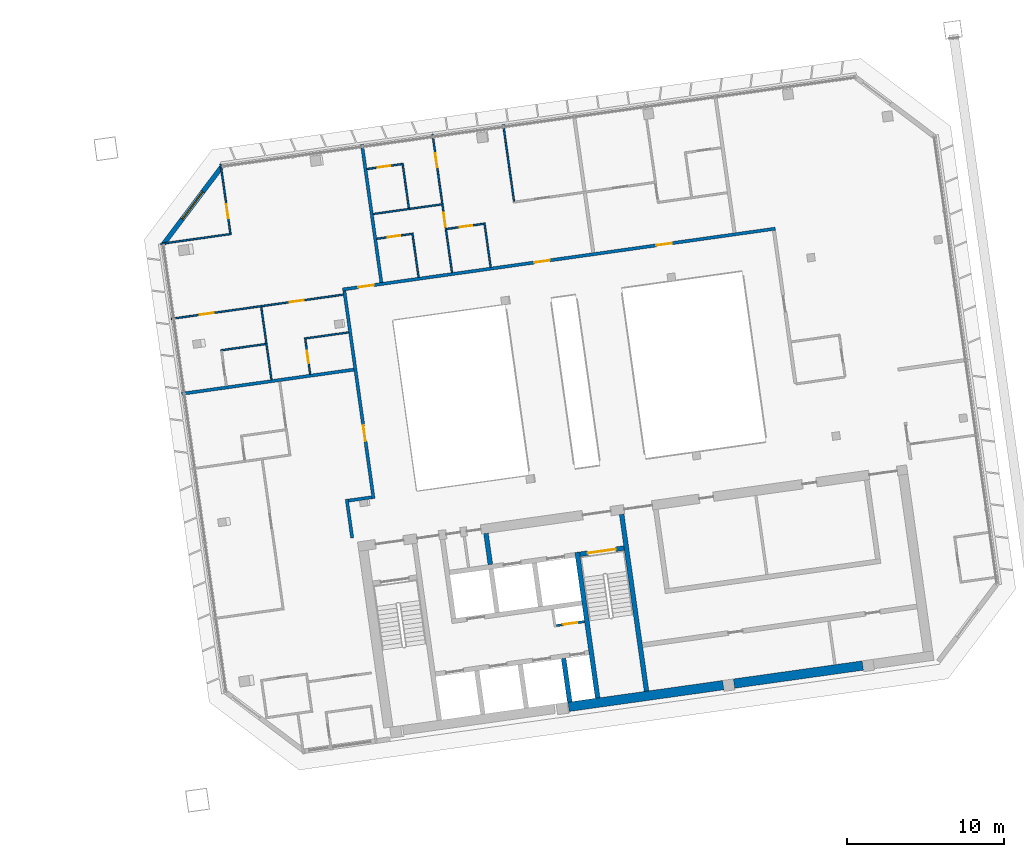
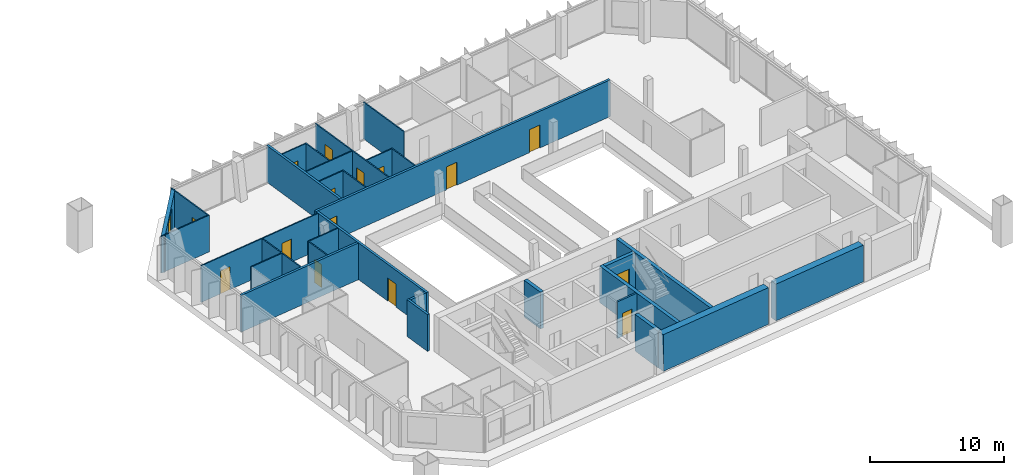
# One storey, part 19 of 26: 31 walls, 15 doors, 1 window, 16 openings.
"""IFC4 building model written with IfcOpenShell, lengths in metres."""

from ifc_helpers import new_model, si_unit, direction, frame, frame_2d, origin, place, context, subcontext, project, spatial, rectangle, extrude, material, layer, layer_set, type_object, element, fill, save


model = new_model("IFC4")

# Units and contexts
model_context = context("Model", 3, precision=1e-05, world=origin(), true_north=direction((0.0, 1.0)))
body_context = subcontext(model_context, "Body", "Model", "MODEL_VIEW")
ifc_project = project(units=[si_unit("LENGTHUNIT", "METRE"), si_unit("AREAUNIT", "SQUARE_METRE"), si_unit("VOLUMEUNIT", "CUBIC_METRE"), si_unit("PLANEANGLEUNIT", "RADIAN"), si_unit("MASSUNIT", "GRAM", prefix="KILO")], contexts=[model_context])

# Site, building, storey
site_placement = place(None, origin())
site = spatial("IfcSite", under=ifc_project, at=site_placement, CompositionType="ELEMENT")
building_placement = place(site_placement, origin())
building = spatial("IfcBuilding", under=site, at=building_placement, Name="Mirante Cascada Hotel Towers", CompositionType="ELEMENT")
storey_placement = place(building_placement, frame((0.0, 0.0, 216.6)))
storey = spatial("IfcBuildingStorey", under=building, at=storey_placement, Name="L51", CompositionType="ELEMENT", Elevation=216.6)

# Walls
ifc_material_1 = material(Name="Fire-rated plasterboard on metal studs")
ifc_layer_1 = layer(ifc_material_1, 0.2)
ifc_layer_set_1 = layer_set([ifc_layer_1], Name="Compartment wall 200 EI 120")
wall_type_1 = type_object("IfcWallType", Name="Compartment wall 200 EI 120", PredefinedType="PARTITIONING", material=ifc_layer_set_1)
wall_1_placement = place(storey_placement, frame((36.5138, -4.518, 0.0), z_axis=(0.0, 0.0, 1.0), x_axis=(-0.9902735, -0.1391343, 0.0)))
element("IfcWall", 1, at=wall_1_placement, inside=storey, type_object=wall_type_1, Name="Wall 2-L51-09", PredefinedType="PARTITIONING", context=body_context, shape_type="SweptSolid", body=[
    extrude(rectangle(XDim=1.5, YDim=0.2, at=frame_2d((0.75, 0.0))), origin(), (0.0, 0.0, 1.0), 3.35),
])
wall_2_placement = place(storey_placement, frame((35.368, 3.6352, 0.0), z_axis=(0.0, 0.0, 1.0), x_axis=(-0.9902681, -0.1391725, 0.0)))
element("IfcWall", 2, at=wall_2_placement, inside=storey, type_object=wall_type_1, Name="Wall 2-L51-15", PredefinedType="PARTITIONING", context=body_context, shape_type="SweptSolid", body=[
    extrude(rectangle(XDim=11.0956, YDim=0.2, at=frame_2d((5.5478, 0.0))), origin(), (0.0, 0.0, 1.0), 3.35),
])

# Wall, openings, doors
wall_3_placement = place(storey_placement, frame((62.2774, 12.6346, 0.0), z_axis=(0.0, 0.0, 1.0), x_axis=(-0.9902677, -0.1391755, 0.0)))
wall_3 = element("IfcWall", 3, at=wall_3_placement, inside=storey, type_object=wall_type_1, Name="Wall 2-L51-19", PredefinedType="PARTITIONING", context=body_context, shape_type="SweptSolid", body=[
    extrude(rectangle(XDim=27.9, YDim=0.2, at=frame_2d((13.95, 0.0))), origin(), (0.0, 0.0, 1.0), 3.35),
])
opening_1_placement = place(wall_3_placement, frame((25.8927, 0.0, 0.0)))
opening_1 = element("IfcOpeningElement", 4, at=opening_1_placement, cuts=wall_3, Name="Opening D2-L51-06", PredefinedType="OPENING", context=body_context, shape_type="SweptSolid", body=[
    extrude(rectangle(XDim=1.0, YDim=2.1, at=frame_2d((0.5, 1.05))), frame((0.0, 0.1, 0.0), z_axis=(0.0, -1.0, 0.0), x_axis=(1.0, 0.0, 0.0)), (0.0, 0.0, 1.0), 0.2),
])
opening_2_placement = place(wall_3_placement, frame((14.5298, 0.0, 0.0)))
opening_2 = element("IfcOpeningElement", 5, at=opening_2_placement, cuts=wall_3, Name="Opening D2-L51-07", PredefinedType="OPENING", context=body_context, shape_type="SweptSolid", body=[
    extrude(rectangle(XDim=1.0, YDim=2.1, at=frame_2d((0.5, 1.05))), frame((0.0, 0.1, 0.0), z_axis=(0.0, -1.0, 0.0), x_axis=(1.0, 0.0, 0.0)), (0.0, 0.0, 1.0), 0.2),
])
opening_3_placement = place(wall_3_placement, frame((6.6652, 0.0, 0.0)))
opening_3 = element("IfcOpeningElement", 6, at=opening_3_placement, cuts=wall_3, Name="Opening D2-L51-08", PredefinedType="OPENING", context=body_context, shape_type="SweptSolid", body=[
    extrude(rectangle(XDim=1.0, YDim=2.1, at=frame_2d((0.5, 1.05))), frame((0.0, 0.1, 0.0), z_axis=(0.0, -1.0, 0.0), x_axis=(1.0, 0.0, 0.0)), (0.0, 0.0, 1.0), 0.2),
])
ifc_material_2 = material(Name="Fire-rated timber door leaf", Category="wood")
door_type_1 = type_object("IfcDoorType", Name="Entrance door DG1 1000x2100 EI 60", OperationType="SINGLE_SWING_LEFT", PredefinedType="DOOR", material=ifc_material_2)
door_1_placement = place(opening_1_placement, frame((1.0, 0.0, 0.0), z_axis=(0.0, 0.0, 1.0), x_axis=(-1.0, 0.0, 0.0)))
door_1 = element("IfcDoor", 7, at=door_1_placement, inside=storey, type_object=door_type_1, Name="Door D2-L51-06", OperationType="SINGLE_SWING_RIGHT", OverallHeight=2.1, OverallWidth=1.0, PredefinedType="DOOR", context=body_context, shape_type="SweptSolid", body=[
    extrude(rectangle(XDim=1.0, YDim=2.1, at=frame_2d((0.5, 1.05))), frame((0.0, 0.025, 0.0), z_axis=(0.0, -1.0, 0.0), x_axis=(1.0, 0.0, 0.0)), (0.0, 0.0, 1.0), 0.05),
])
fill(opening_1, door_1)
door_2_placement = place(opening_2_placement, frame((1.0, 0.0, 0.0), z_axis=(0.0, 0.0, 1.0), x_axis=(-1.0, 0.0, 0.0)))
door_2 = element("IfcDoor", 8, at=door_2_placement, inside=storey, type_object=door_type_1, Name="Door D2-L51-07", OperationType="SINGLE_SWING_RIGHT", OverallHeight=2.1, OverallWidth=1.0, PredefinedType="DOOR", context=body_context, shape_type="SweptSolid", body=[
    extrude(rectangle(XDim=1.0, YDim=2.1, at=frame_2d((0.5, 1.05))), frame((0.0, 0.025, 0.0), z_axis=(0.0, -1.0, 0.0), x_axis=(1.0, 0.0, 0.0)), (0.0, 0.0, 1.0), 0.05),
])
fill(opening_2, door_2)
door_3_placement = place(opening_3_placement, frame((1.0, 0.0, 0.0), z_axis=(0.0, 0.0, 1.0), x_axis=(-1.0, 0.0, 0.0)))
door_3 = element("IfcDoor", 9, at=door_3_placement, inside=storey, type_object=door_type_1, Name="Door D2-L51-08", OperationType="SINGLE_SWING_RIGHT", OverallHeight=2.1, OverallWidth=1.0, PredefinedType="DOOR", context=body_context, shape_type="SweptSolid", body=[
    extrude(rectangle(XDim=1.0, YDim=2.1, at=frame_2d((0.5, 1.05))), frame((0.0, 0.025, 0.0), z_axis=(0.0, -1.0, 0.0), x_axis=(1.0, 0.0, 0.0)), (0.0, 0.0, 1.0), 0.05),
])
fill(opening_3, door_3)

# Wall
wall_4_placement = place(storey_placement, frame((35.2634, -7.1173, 0.0), z_axis=(0.0, 0.0, 1.0), x_axis=(-0.1391586, 0.9902701, 0.0)))
element("IfcWall", 10, at=wall_4_placement, inside=storey, type_object=wall_type_1, Name="Wall 2-L51-40", PredefinedType="PARTITIONING", context=body_context, shape_type="SweptSolid", body=[
    extrude(rectangle(XDim=2.5, YDim=0.2, at=frame_2d((1.25, 0.0))), origin(), (0.0, 0.0, 1.0), 3.35),
])

# Wall, opening, door
wall_5_placement = place(storey_placement, frame((34.7618, 8.6665, 0.0), z_axis=(0.0, 0.0, 1.0), x_axis=(0.1391789, -0.9902673, 0.0)))
wall_5 = element("IfcWall", 11, at=wall_5_placement, inside=storey, type_object=wall_type_1, Name="Wall 2-L51-41", PredefinedType="PARTITIONING", context=body_context, shape_type="SweptSolid", body=[
    extrude(rectangle(XDim=13.4, YDim=0.2, at=frame_2d((6.7, 0.0))), origin(), (0.0, 0.0, 1.0), 3.35),
])
opening_4_placement = place(wall_5_placement, frame((8.6834, 0.0, 0.0)))
opening_4 = element("IfcOpeningElement", 12, at=opening_4_placement, cuts=wall_5, Name="Opening D2-L51-22", PredefinedType="OPENING", context=body_context, shape_type="SweptSolid", body=[
    extrude(rectangle(XDim=1.0, YDim=2.1, at=frame_2d((0.5, 1.05))), frame((0.0, 0.1, 0.0), z_axis=(0.0, -1.0, 0.0), x_axis=(1.0, 0.0, 0.0)), (0.0, 0.0, 1.0), 0.2),
])
door_4_placement = place(opening_4_placement, frame((1.0, 0.0, 0.0), z_axis=(0.0, 0.0, 1.0), x_axis=(-1.0, 0.0, 0.0)))
door_4 = element("IfcDoor", 13, at=door_4_placement, inside=storey, type_object=door_type_1, Name="Door D2-L51-22", OperationType="SINGLE_SWING_RIGHT", OverallHeight=2.1, OverallWidth=1.0, PredefinedType="DOOR", context=body_context, shape_type="SweptSolid", body=[
    extrude(rectangle(XDim=1.0, YDim=2.1, at=frame_2d((0.5, 1.05))), frame((0.0, 0.025, 0.0), z_axis=(0.0, -1.0, 0.0), x_axis=(1.0, 0.0, 0.0)), (0.0, 0.0, 1.0), 0.05),
])
fill(opening_4, door_4)

# Wall
wall_6_placement = place(storey_placement, frame((37.125, 9.2006, 0.0), z_axis=(0.0, 0.0, 1.0), x_axis=(-0.1391684, 0.9902687, 0.0)))
element("IfcWall", 14, at=wall_6_placement, inside=storey, type_object=wall_type_1, Name="Wall 2-L51-42", PredefinedType="PARTITIONING", context=body_context, shape_type="SweptSolid", body=[
    extrude(rectangle(XDim=8.9, YDim=0.2, at=frame_2d((4.45, 0.0))), origin(), (0.0, 0.0, 1.0), 3.35),
])

# Wall, opening, door
ifc_material_3 = material(Name="Masonry block", Category="masonry")
ifc_layer_2 = layer(ifc_material_3, 0.15)
ifc_layer_set_2 = layer_set([ifc_layer_2], Name="Core room partition 150 block EI 30")
wall_type_2 = type_object("IfcWallType", Name="Core room partition 150 block EI 30", PredefinedType="PARTITIONING", material=ifc_layer_set_2)
wall_7_placement = place(storey_placement, frame((48.2933, -12.7083, 0.0), z_axis=(0.0, 0.0, 1.0), x_axis=(0.990268, 0.1391734, 0.0)))
wall_7 = element("IfcWall", 15, at=wall_7_placement, inside=storey, type_object=wall_type_2, Name="Core wall partition T2 L51 3", PredefinedType="PARTITIONING", context=body_context, shape_type="SweptSolid", body=[
    extrude(rectangle(XDim=1.8251, YDim=0.15, at=frame_2d((0.9126, 0.0))), origin(), (0.0, 0.0, 1.0), 3.35),
])
opening_5_placement = place(wall_7_placement, frame((0.4625, 0.0, 0.0)))
opening_5 = element("IfcOpeningElement", 16, at=opening_5_placement, cuts=wall_7, Name="Opening D2-51-C15", PredefinedType="OPENING", context=body_context, shape_type="SweptSolid", body=[
    extrude(rectangle(XDim=0.9, YDim=2.1, at=frame_2d((0.45, 1.05))), frame((0.0, 0.075, 0.0), z_axis=(0.0, -1.0, 0.0), x_axis=(1.0, 0.0, 0.0)), (0.0, 0.0, 1.0), 0.15),
])
ifc_material_4 = material(Name="Hollow metal fire door leaf")
door_type_2 = type_object("IfcDoorType", Name="Fire door 900x2100 FD60", OperationType="NOTDEFINED", PredefinedType="DOOR", material=ifc_material_4)
door_5_placement = place(opening_5_placement, frame((0.9, 0.0, 0.0), z_axis=(0.0, 0.0, 1.0), x_axis=(-1.0, 0.0, 0.0)))
door_5 = element("IfcDoor", 17, at=door_5_placement, inside=storey, type_object=door_type_2, Name="Riser door T2 L51 15", OperationType="SINGLE_SWING_RIGHT", OverallHeight=2.1, OverallWidth=0.9, PredefinedType="DOOR", context=body_context, shape_type="SweptSolid", body=[
    extrude(rectangle(XDim=0.9, YDim=2.1, at=frame_2d((0.45, 1.05))), frame((0.0, 0.025, 0.0), z_axis=(0.0, -1.0, 0.0), x_axis=(1.0, 0.0, 0.0)), (0.0, 0.0, 1.0), 0.05),
])
fill(opening_5, door_5)

# Walls
ifc_material_5 = material(Name="Masonry block", Category="masonry")
ifc_layer_3 = layer(ifc_material_5, 0.3)
ifc_layer_set_3 = layer_set([ifc_layer_3], Name="Core wall 300 block EI 120")
wall_type_3 = type_object("IfcWallType", Name="Core wall 300 block EI 120", PredefinedType="PARTITIONING", material=ifc_layer_set_3)
wall_8_placement = place(storey_placement, frame((44.0843, -8.8061, 0.0), z_axis=(0.0, 0.0, 1.0), x_axis=(-0.1391951, 0.990265, 0.0)))
element("IfcWall", 18, at=wall_8_placement, inside=storey, type_object=wall_type_3, Name="Core wall partition T2 L51 1", PredefinedType="PARTITIONING", context=body_context, shape_type="SweptSolid", body=[
    extrude(rectangle(XDim=2.0001, YDim=0.3, at=frame_2d((1.0001, 0.0))), origin(), (0.0, 0.0, 1.0), 3.35),
])
ifc_material_6 = material(Name="Plasterboard on metal studs")
ifc_layer_4 = layer(ifc_material_6, 0.1)
ifc_layer_set_4 = layer_set([ifc_layer_4], Name="Partition 100")
wall_type_4 = type_object("IfcWallType", Name="Partition 100", PredefinedType="PARTITIONING", material=ifc_layer_set_4)
wall_9_placement = place(storey_placement, frame((26.8664, 4.864, 0.0), z_axis=(0.0, 0.0, 1.0), x_axis=(0.9902683, 0.1391714, 0.0)))
element("IfcWall", 19, at=wall_9_placement, inside=storey, type_object=wall_type_4, Name="Wall 2-L51-16", PredefinedType="PARTITIONING", context=body_context, shape_type="SweptSolid", body=[
    extrude(rectangle(XDim=2.9, YDim=0.1, at=frame_2d((1.45, 0.0))), origin(), (0.0, 0.0, 1.0), 3.35),
])
wall_10_placement = place(storey_placement, frame((35.034, 6.0119, 0.0), z_axis=(0.0, 0.0, 1.0), x_axis=(-0.9902656, -0.1391909, 0.0)))
element("IfcWall", 20, at=wall_10_placement, inside=storey, type_object=wall_type_4, Name="Wall 2-L51-17", PredefinedType="PARTITIONING", context=body_context, shape_type="SweptSolid", body=[
    extrude(rectangle(XDim=2.85, YDim=0.1, at=frame_2d((1.425, 0.0))), origin(), (0.0, 0.0, 1.0), 3.35),
])

# Wall, openings, doors
wall_11_placement = place(storey_placement, frame((23.7077, 6.8774, 0.0), z_axis=(0.0, 0.0, 1.0), x_axis=(0.9902681, 0.1391725, 0.0)))
wall_11 = element("IfcWall", 21, at=wall_11_placement, inside=storey, type_object=wall_type_4, Name="Wall 2-L51-18", PredefinedType="PARTITIONING", context=body_context, shape_type="SweptSolid", body=[
    extrude(rectangle(XDim=11.0956, YDim=0.1, at=frame_2d((5.5478, 0.0))), origin(), (0.0, 0.0, 1.0), 3.35),
])
opening_6_placement = place(wall_11_placement, frame((1.8489, 0.0, 0.0)))
opening_6 = element("IfcOpeningElement", 22, at=opening_6_placement, cuts=wall_11, Name="Opening D2-L51-04", PredefinedType="OPENING", context=body_context, shape_type="SweptSolid", body=[
    extrude(rectangle(XDim=0.9, YDim=2.1, at=frame_2d((0.45, 1.05))), frame((0.0, 0.05, 0.0), z_axis=(0.0, -1.0, 0.0), x_axis=(1.0, 0.0, 0.0)), (0.0, 0.0, 1.0), 0.1),
])
opening_7_placement = place(wall_11_placement, frame((7.6467, 0.0, 0.0)))
opening_7 = element("IfcOpeningElement", 23, at=opening_7_placement, cuts=wall_11, Name="Opening D2-L51-05", PredefinedType="OPENING", context=body_context, shape_type="SweptSolid", body=[
    extrude(rectangle(XDim=0.9, YDim=2.1, at=frame_2d((0.45, 1.05))), frame((0.0, 0.05, 0.0), z_axis=(0.0, -1.0, 0.0), x_axis=(1.0, 0.0, 0.0)), (0.0, 0.0, 1.0), 0.1),
])
ifc_material_7 = material(Name="Timber door leaf", Category="wood")
door_type_3 = type_object("IfcDoorType", Name="Room door DG3 900x2100", OperationType="SINGLE_SWING_LEFT", PredefinedType="DOOR", material=ifc_material_7)
door_6_placement = place(opening_6_placement, origin())
door_6 = element("IfcDoor", 24, at=door_6_placement, inside=storey, type_object=door_type_3, Name="Door D2-L51-04", OperationType="SINGLE_SWING_LEFT", OverallHeight=2.1, OverallWidth=0.9, PredefinedType="DOOR", context=body_context, shape_type="SweptSolid", body=[
    extrude(rectangle(XDim=0.9, YDim=2.1, at=frame_2d((0.45, 1.05))), frame((0.0, 0.025, 0.0), z_axis=(0.0, -1.0, 0.0), x_axis=(1.0, 0.0, 0.0)), (0.0, 0.0, 1.0), 0.05),
])
fill(opening_6, door_6)
door_7_placement = place(opening_7_placement, origin())
door_7 = element("IfcDoor", 25, at=door_7_placement, inside=storey, type_object=door_type_3, Name="Door D2-L51-05", OperationType="SINGLE_SWING_LEFT", OverallHeight=2.1, OverallWidth=0.9, PredefinedType="DOOR", context=body_context, shape_type="SweptSolid", body=[
    extrude(rectangle(XDim=0.9, YDim=2.1, at=frame_2d((0.45, 1.05))), frame((0.0, 0.025, 0.0), z_axis=(0.0, -1.0, 0.0), x_axis=(1.0, 0.0, 0.0)), (0.0, 0.0, 1.0), 0.05),
])
fill(opening_7, door_7)

# Wall, opening, door
wall_12_placement = place(storey_placement, frame((39.0625, 12.3004, 0.0), z_axis=(0.0, 0.0, 1.0), x_axis=(-0.9902705, -0.1391561, 0.0)))
wall_12 = element("IfcWall", 26, at=wall_12_placement, inside=storey, type_object=wall_type_4, Name="Wall 2-L51-21", PredefinedType="PARTITIONING", context=body_context, shape_type="SweptSolid", body=[
    extrude(rectangle(XDim=2.25, YDim=0.1, at=frame_2d((1.125, 0.0))), origin(), (0.0, 0.0, 1.0), 3.35),
])
opening_8_placement = place(wall_12_placement, frame((0.75, 0.0, 0.0)))
opening_8 = element("IfcOpeningElement", 27, at=opening_8_placement, cuts=wall_12, Name="Opening D2-L51-09", PredefinedType="OPENING", context=body_context, shape_type="SweptSolid", body=[
    extrude(rectangle(XDim=0.8, YDim=2.1, at=frame_2d((0.4, 1.05))), frame((0.0, 0.05, 0.0), z_axis=(0.0, -1.0, 0.0), x_axis=(1.0, 0.0, 0.0)), (0.0, 0.0, 1.0), 0.1),
])
ifc_material_8 = material(Name="Timber door leaf", Category="wood")
door_type_4 = type_object("IfcDoorType", Name="Bathroom door DG4 800x2100", OperationType="SINGLE_SWING_LEFT", PredefinedType="DOOR", material=ifc_material_8)
door_8_placement = place(opening_8_placement, origin())
door_8 = element("IfcDoor", 28, at=door_8_placement, inside=storey, type_object=door_type_4, Name="Door D2-L51-09", OperationType="SINGLE_SWING_LEFT", OverallHeight=2.1, OverallWidth=0.8, PredefinedType="DOOR", context=body_context, shape_type="SweptSolid", body=[
    extrude(rectangle(XDim=0.8, YDim=2.1, at=frame_2d((0.4, 1.05))), frame((0.0, 0.025, 0.0), z_axis=(0.0, -1.0, 0.0), x_axis=(1.0, 0.0, 0.0)), (0.0, 0.0, 1.0), 0.05),
])
fill(opening_8, door_8)

wall_13_placement = place(storey_placement, frame((41.2956, 12.6143, 0.0), z_axis=(0.0, 0.0, 1.0), x_axis=(0.9902723, 0.1391433, 0.0)))
wall_13 = element("IfcWall", 29, at=wall_13_placement, inside=storey, type_object=wall_type_4, Name="Wall 2-L51-22", PredefinedType="PARTITIONING", context=body_context, shape_type="SweptSolid", body=[
    extrude(rectangle(XDim=2.3911, YDim=0.1, at=frame_2d((1.1955, 0.0))), origin(), (0.0, 0.0, 1.0), 3.35),
])
opening_9_placement = place(wall_13_placement, frame((0.8411, 0.0, 0.0)))
opening_9 = element("IfcOpeningElement", 30, at=opening_9_placement, cuts=wall_13, Name="Opening D2-L51-10", PredefinedType="OPENING", context=body_context, shape_type="SweptSolid", body=[
    extrude(rectangle(XDim=0.8, YDim=2.1, at=frame_2d((0.4, 1.05))), frame((0.0, 0.05, 0.0), z_axis=(0.0, -1.0, 0.0), x_axis=(1.0, 0.0, 0.0)), (0.0, 0.0, 1.0), 0.1),
])
door_9_placement = place(opening_9_placement, origin())
door_9 = element("IfcDoor", 31, at=door_9_placement, inside=storey, type_object=door_type_4, Name="Door D2-L51-10", OperationType="SINGLE_SWING_LEFT", OverallHeight=2.1, OverallWidth=0.8, PredefinedType="DOOR", context=body_context, shape_type="SweptSolid", body=[
    extrude(rectangle(XDim=0.8, YDim=2.1, at=frame_2d((0.4, 1.05))), frame((0.0, 0.025, 0.0), z_axis=(0.0, -1.0, 0.0), x_axis=(1.0, 0.0, 0.0)), (0.0, 0.0, 1.0), 0.05),
])
fill(opening_9, door_9)

# Walls
wall_14_placement = place(storey_placement, frame((23.035, 11.6636, 0.0), z_axis=(0.0, 0.0, 1.0), x_axis=(0.9902661, 0.1391871, 0.0)))
element("IfcWall", 32, at=wall_14_placement, inside=storey, type_object=wall_type_4, Name="Wall 2-L51-24", PredefinedType="PARTITIONING", context=body_context, shape_type="SweptSolid", body=[
    extrude(rectangle(XDim=4.55, YDim=0.1, at=frame_2d((2.275, 0.0))), origin(), (0.0, 0.0, 1.0), 3.35),
])
wall_15_placement = place(storey_placement, frame((40.9739, 14.1848, 0.0), z_axis=(0.0, 0.0, 1.0), x_axis=(-0.990267, -0.1391804, 0.0)))
element("IfcWall", 33, at=wall_15_placement, inside=storey, type_object=wall_type_4, Name="Wall 2-L51-25", PredefinedType="PARTITIONING", context=body_context, shape_type="SweptSolid", body=[
    extrude(rectangle(XDim=4.4051, YDim=0.1, at=frame_2d((2.2026, 0.0))), origin(), (0.0, 0.0, 1.0), 3.35),
])

# Wall, opening, door
wall_16_placement = place(storey_placement, frame((38.4362, 16.7566, 0.0), z_axis=(0.0, 0.0, 1.0), x_axis=(-0.9902705, -0.1391561, 0.0)))
wall_16 = element("IfcWall", 34, at=wall_16_placement, inside=storey, type_object=wall_type_4, Name="Wall 2-L51-27", PredefinedType="PARTITIONING", context=body_context, shape_type="SweptSolid", body=[
    extrude(rectangle(XDim=2.25, YDim=0.1, at=frame_2d((1.125, 0.0))), origin(), (0.0, 0.0, 1.0), 3.35),
])
opening_10_placement = place(wall_16_placement, frame((0.75, 0.0, 0.0)))
opening_10 = element("IfcOpeningElement", 35, at=opening_10_placement, cuts=wall_16, Name="Opening D2-L51-14", PredefinedType="OPENING", context=body_context, shape_type="SweptSolid", body=[
    extrude(rectangle(XDim=0.8, YDim=2.1, at=frame_2d((0.4, 1.05))), frame((0.0, 0.05, 0.0), z_axis=(0.0, -1.0, 0.0), x_axis=(1.0, 0.0, 0.0)), (0.0, 0.0, 1.0), 0.1),
])
door_10_placement = place(opening_10_placement, origin())
door_10 = element("IfcDoor", 36, at=door_10_placement, inside=storey, type_object=door_type_4, Name="Door D2-L51-14", OperationType="SINGLE_SWING_LEFT", OverallHeight=2.1, OverallWidth=0.8, PredefinedType="DOOR", context=body_context, shape_type="SweptSolid", body=[
    extrude(rectangle(XDim=0.8, YDim=2.1, at=frame_2d((0.4, 1.05))), frame((0.0, 0.025, 0.0), z_axis=(0.0, -1.0, 0.0), x_axis=(1.0, 0.0, 0.0)), (0.0, 0.0, 1.0), 0.05),
])
fill(opening_10, door_10)

wall_17_placement = place(storey_placement, frame((26.8649, 16.7461, 0.0), z_axis=(0.0, 0.0, 1.0), x_axis=(0.1391904, -0.9902656, 0.0)))
wall_17 = element("IfcWall", 37, at=wall_17_placement, inside=storey, type_object=wall_type_4, Name="Wall 2-L51-33", PredefinedType="PARTITIONING", context=body_context, shape_type="SweptSolid", body=[
    extrude(rectangle(XDim=4.45, YDim=0.1, at=frame_2d((2.225, 0.0))), origin(), (0.0, 0.0, 1.0), 3.35),
])
opening_11_placement = place(wall_17_placement, frame((2.5833, 0.0, 0.0)))
opening_11 = element("IfcOpeningElement", 38, at=opening_11_placement, cuts=wall_17, Name="Opening D2-L51-18", PredefinedType="OPENING", context=body_context, shape_type="SweptSolid", body=[
    extrude(rectangle(XDim=0.9, YDim=2.1, at=frame_2d((0.45, 1.05))), frame((0.0, 0.05, 0.0), z_axis=(0.0, -1.0, 0.0), x_axis=(1.0, 0.0, 0.0)), (0.0, 0.0, 1.0), 0.1),
])
door_11_placement = place(opening_11_placement, origin())
door_11 = element("IfcDoor", 39, at=door_11_placement, inside=storey, type_object=door_type_3, Name="Door D2-L51-18", OperationType="SINGLE_SWING_LEFT", OverallHeight=2.1, OverallWidth=0.9, PredefinedType="DOOR", context=body_context, shape_type="SweptSolid", body=[
    extrude(rectangle(XDim=0.9, YDim=2.1, at=frame_2d((0.45, 1.05))), frame((0.0, 0.025, 0.0), z_axis=(0.0, -1.0, 0.0), x_axis=(1.0, 0.0, 0.0)), (0.0, 0.0, 1.0), 0.05),
])
fill(opening_11, door_11)

# Wall
wall_18_placement = place(storey_placement, frame((29.456, 7.6348, 0.0), z_axis=(0.0, 0.0, 1.0), x_axis=(0.1391701, -0.9902685, 0.0)))
element("IfcWall", 40, at=wall_18_placement, inside=storey, type_object=wall_type_4, Name="Wall 2-L51-35", PredefinedType="PARTITIONING", context=body_context, shape_type="SweptSolid", body=[
    extrude(rectangle(XDim=4.6835, YDim=0.1, at=frame_2d((2.3418, 0.0))), origin(), (0.0, 0.0, 1.0), 3.35),
])

# Wall, opening, door
wall_19_placement = place(storey_placement, frame((32.5813, 3.3446, 0.0), z_axis=(0.0, 0.0, 1.0), x_axis=(-0.1391561, 0.9902705, 0.0)))
wall_19 = element("IfcWall", 41, at=wall_19_placement, inside=storey, type_object=wall_type_4, Name="Wall 2-L51-38", PredefinedType="PARTITIONING", context=body_context, shape_type="SweptSolid", body=[
    extrude(rectangle(XDim=2.25, YDim=0.1, at=frame_2d((1.125, 0.0))), origin(), (0.0, 0.0, 1.0), 3.35),
])
opening_12_placement = place(wall_19_placement, frame((0.7, 0.0, 0.0)))
opening_12 = element("IfcOpeningElement", 42, at=opening_12_placement, cuts=wall_19, Name="Opening D2-L51-21", PredefinedType="OPENING", context=body_context, shape_type="SweptSolid", body=[
    extrude(rectangle(XDim=0.8, YDim=2.1, at=frame_2d((0.4, 1.05))), frame((0.0, 0.05, 0.0), z_axis=(0.0, -1.0, 0.0), x_axis=(1.0, 0.0, 0.0)), (0.0, 0.0, 1.0), 0.1),
])
door_12_placement = place(opening_12_placement, frame((0.8, 0.0, 0.0), z_axis=(0.0, 0.0, 1.0), x_axis=(-1.0, 0.0, 0.0)))
door_12 = element("IfcDoor", 43, at=door_12_placement, inside=storey, type_object=door_type_4, Name="Door D2-L51-21", OperationType="SINGLE_SWING_RIGHT", OverallHeight=2.1, OverallWidth=0.8, PredefinedType="DOOR", context=body_context, shape_type="SweptSolid", body=[
    extrude(rectangle(XDim=0.8, YDim=2.1, at=frame_2d((0.4, 1.05))), frame((0.0, 0.025, 0.0), z_axis=(0.0, -1.0, 0.0), x_axis=(1.0, 0.0, 0.0)), (0.0, 0.0, 1.0), 0.05),
])
fill(opening_12, door_12)

# Walls
wall_20_placement = place(storey_placement, frame((39.105, 12.3569, 0.0), z_axis=(0.0, 0.0, 1.0), x_axis=(0.1391909, -0.9902656, 0.0)))
element("IfcWall", 44, at=wall_20_placement, inside=storey, type_object=wall_type_4, Name="Wall 2-L51-43", PredefinedType="PARTITIONING", context=body_context, shape_type="SweptSolid", body=[
    extrude(rectangle(XDim=2.85, YDim=0.1, at=frame_2d((1.425, 0.0))), origin(), (0.0, 0.0, 1.0), 3.35),
])
wall_21_placement = place(storey_placement, frame((38.8823, 13.9413, 0.0), z_axis=(0.0, 0.0, 1.0), x_axis=(-0.1391714, 0.9902683, 0.0)))
element("IfcWall", 45, at=wall_21_placement, inside=storey, type_object=wall_type_4, Name="Wall 2-L51-44", PredefinedType="PARTITIONING", context=body_context, shape_type="SweptSolid", body=[
    extrude(rectangle(XDim=2.9, YDim=0.1, at=frame_2d((1.45, 0.0))), origin(), (0.0, 0.0, 1.0), 3.35),
])

# Wall, openings, doors
wall_22_placement = place(storey_placement, frame((40.3971, 18.6479, 0.0), z_axis=(0.0, 0.0, 1.0), x_axis=(0.139181, -0.990267, 0.0)))
wall_22 = element("IfcWall", 46, at=wall_22_placement, inside=storey, type_object=wall_type_4, Name="Wall 2-L51-45", PredefinedType="PARTITIONING", context=body_context, shape_type="SweptSolid", body=[
    extrude(rectangle(XDim=8.8999, YDim=0.1, at=frame_2d((4.45, 0.0))), origin(), (0.0, 0.0, 1.0), 3.35),
])
opening_13_placement = place(wall_22_placement, frame((5.05, 0.0, 0.0)))
opening_13 = element("IfcOpeningElement", 47, at=opening_13_placement, cuts=wall_22, Name="Opening D2-L51-23", PredefinedType="OPENING", context=body_context, shape_type="SweptSolid", body=[
    extrude(rectangle(XDim=0.9, YDim=2.1, at=frame_2d((0.45, 1.05))), frame((0.0, 0.05, 0.0), z_axis=(0.0, -1.0, 0.0), x_axis=(1.0, 0.0, 0.0)), (0.0, 0.0, 1.0), 0.1),
])
opening_14_placement = place(wall_22_placement, frame((1.2, 0.0, 0.0)))
opening_14 = element("IfcOpeningElement", 48, at=opening_14_placement, cuts=wall_22, Name="Opening D2-L51-24", PredefinedType="OPENING", context=body_context, shape_type="SweptSolid", body=[
    extrude(rectangle(XDim=0.9, YDim=2.1, at=frame_2d((0.45, 1.05))), frame((0.0, 0.05, 0.0), z_axis=(0.0, -1.0, 0.0), x_axis=(1.0, 0.0, 0.0)), (0.0, 0.0, 1.0), 0.1),
])
door_13_placement = place(opening_13_placement, origin())
door_13 = element("IfcDoor", 49, at=door_13_placement, inside=storey, type_object=door_type_3, Name="Door D2-L51-23", OperationType="SINGLE_SWING_LEFT", OverallHeight=2.1, OverallWidth=0.9, PredefinedType="DOOR", context=body_context, shape_type="SweptSolid", body=[
    extrude(rectangle(XDim=0.9, YDim=2.1, at=frame_2d((0.45, 1.05))), frame((0.0, 0.025, 0.0), z_axis=(0.0, -1.0, 0.0), x_axis=(1.0, 0.0, 0.0)), (0.0, 0.0, 1.0), 0.05),
])
fill(opening_13, door_13)
door_14_placement = place(opening_14_placement, origin())
door_14 = element("IfcDoor", 50, at=door_14_placement, inside=storey, type_object=door_type_3, Name="Door D2-L51-24", OperationType="SINGLE_SWING_LEFT", OverallHeight=2.1, OverallWidth=0.9, PredefinedType="DOOR", context=body_context, shape_type="SweptSolid", body=[
    extrude(rectangle(XDim=0.9, YDim=2.1, at=frame_2d((0.45, 1.05))), frame((0.0, 0.025, 0.0), z_axis=(0.0, -1.0, 0.0), x_axis=(1.0, 0.0, 0.0)), (0.0, 0.0, 1.0), 0.05),
])
fill(opening_14, door_14)

# Walls
wall_23_placement = place(storey_placement, frame((44.1026, 10.1813, 0.0), z_axis=(0.0, 0.0, 1.0), x_axis=(-0.1391613, 0.9902697, 0.0)))
element("IfcWall", 51, at=wall_23_placement, inside=storey, type_object=wall_type_4, Name="Wall 2-L51-46", PredefinedType="PARTITIONING", context=body_context, shape_type="SweptSolid", body=[
    extrude(rectangle(XDim=2.8499, YDim=0.1, at=frame_2d((1.425, 0.0))), origin(), (0.0, 0.0, 1.0), 3.35),
])
wall_24_placement = place(storey_placement, frame((44.9079, 19.2819, 0.0), z_axis=(0.0, 0.0, 1.0), x_axis=(0.1391725, -0.9902682, 0.0)))
element("IfcWall", 52, at=wall_24_placement, inside=storey, type_object=wall_type_4, Name="Wall 2-L51-47", PredefinedType="PARTITIONING", context=body_context, shape_type="SweptSolid", body=[
    extrude(rectangle(XDim=4.95, YDim=0.1, at=frame_2d((2.475, 0.0))), origin(), (0.0, 0.0, 1.0), 3.35),
])

# Wall, opening, window
ifc_material_9 = material(Name="Precast concrete C40/50", Category="concrete")
ifc_layer_5 = layer(ifc_material_9, 0.3)
ifc_layer_set_5 = layer_set([ifc_layer_5], Name="Precast concrete C40/50 cladding wall 300")
wall_type_5 = type_object("IfcWallType", Name="Precast concrete C40/50 cladding wall 300", PredefinedType="STANDARD", material=ifc_layer_set_5)
wall_25_placement = place(storey_placement, frame((26.91, 16.5567, 0.0), z_axis=(0.0, 0.0, 1.0), x_axis=(-0.6018141, -0.7986362, 0.0)))
wall_25 = element("IfcWall", 53, at=wall_25_placement, inside=storey, type_object=wall_type_5, Name="Corner cladding wall T2 L51 front inner", PredefinedType="STANDARD", context=body_context, shape_type="SweptSolid", body=[
    extrude(rectangle(XDim=6.1157, YDim=0.3, at=frame_2d((3.0578, 0.0))), origin(), (0.0, 0.0, 1.0), 3.35),
])
opening_15_placement = place(wall_25_placement, frame((1.9578, 0.0, 0.6)))
opening_15 = element("IfcOpeningElement", 54, at=opening_15_placement, cuts=wall_25, Name="Opening W2-51-04", PredefinedType="OPENING", context=body_context, shape_type="SweptSolid", body=[
    extrude(rectangle(XDim=2.2, YDim=2.4, at=frame_2d((1.1, 1.2))), frame((0.0, 0.15, 0.0), z_axis=(0.0, -1.0, 0.0), x_axis=(1.0, 0.0, 0.0)), (0.0, 0.0, 1.0), 0.3),
])
ifc_material_10 = material(Name="Aluminium frame with clear double glazing", Category="aluminium")
window_type = type_object("IfcWindowType", Name="Corner suite window 2200x2400", PartitioningType="DOUBLE_PANEL_VERTICAL", PredefinedType="WINDOW", material=ifc_material_10)
window_placement = place(opening_15_placement, origin())
window = element("IfcWindow", 55, at=window_placement, inside=storey, type_object=window_type, Name="Window W2-51-04", OverallHeight=2.4, OverallWidth=2.2, PartitioningType="SINGLE_PANEL", PredefinedType="WINDOW", context=body_context, shape_type="SweptSolid", body=[
    extrude(rectangle(XDim=2.2, YDim=2.4, at=frame_2d((1.1, 1.2))), frame((0.0, 0.03, 0.0), z_axis=(0.0, -1.0, 0.0), x_axis=(1.0, 0.0, 0.0)), (0.0, 0.0, 1.0), 0.06),
])
fill(opening_15, window)

# Walls
ifc_material_11 = material(Name="Concrete C50/60", Category="concrete")
ifc_layer_6 = layer(ifc_material_11, 0.3)
ifc_layer_set_6 = layer_set([ifc_layer_6], Name="RC core wall 300 C50/60")
wall_type_6 = type_object("IfcWallType", Name="RC core wall 300 C50/60", PredefinedType="SHEAR", material=ifc_layer_set_6)
wall_26_placement = place(storey_placement, frame((50.938, -17.3352, 0.0), z_axis=(0.0, 0.0, 1.0), x_axis=(-0.1391706, 0.9902684, 0.0)))
element("IfcWall", 56, at=wall_26_placement, inside=storey, type_object=wall_type_6, Name="Core wall T2:L51:6", PredefinedType="SHEAR", context=body_context, shape_type="SweptSolid", body=[
    extrude(rectangle(XDim=9.4, YDim=0.3, at=frame_2d((4.7, 0.0))), origin(), (0.0, 0.0, 1.0), 3.35),
])
wall_27_placement = place(storey_placement, frame((54.0574, -16.8968, 0.0), z_axis=(0.0, 0.0, 1.0), x_axis=(-0.1391761, 0.9902677, 0.0)))
element("IfcWall", 57, at=wall_27_placement, inside=storey, type_object=wall_type_6, Name="Core wall T2:L51:7", PredefinedType="SHEAR", context=body_context, shape_type="SweptSolid", body=[
    extrude(rectangle(XDim=11.3999, YDim=0.3, at=frame_2d((5.7, 0.0))), origin(), (0.0, 0.0, 1.0), 3.35),
])

# Wall, opening, door
wall_28_placement = place(storey_placement, frame((49.7992, -8.1544, 0.0), z_axis=(0.0, 0.0, 1.0), x_axis=(0.9902656, 0.1391909, 0.0)))
wall_28 = element("IfcWall", 58, at=wall_28_placement, inside=storey, type_object=wall_type_6, Name="Core wall T2:L51:9", PredefinedType="SHEAR", context=body_context, shape_type="SweptSolid", body=[
    extrude(rectangle(XDim=2.85, YDim=0.3, at=frame_2d((1.425, 0.0))), origin(), (0.0, 0.0, 1.0), 3.35),
])
opening_16_placement = place(wall_28_placement, frame((0.525, 0.0, 0.0)))
opening_16 = element("IfcOpeningElement", 59, at=opening_16_placement, cuts=wall_28, Name="Opening D2-51-C09", PredefinedType="OPENING", context=body_context, shape_type="SweptSolid", body=[
    extrude(rectangle(XDim=1.8, YDim=2.1, at=frame_2d((0.9, 1.05))), frame((0.0, 0.15, 0.0), z_axis=(0.0, -1.0, 0.0), x_axis=(1.0, 0.0, 0.0)), (0.0, 0.0, 1.0), 0.3),
])
ifc_material_12 = material(Name="Hollow metal fire door leaf")
door_type_5 = type_object("IfcDoorType", Name="Double fire door 1800x2100 FD60", OperationType="DOUBLE_DOOR_SINGLE_SWING", PredefinedType="DOOR", material=ifc_material_12)
door_15_placement = place(opening_16_placement, frame((1.8, 0.0, 0.0), z_axis=(0.0, 0.0, 1.0), x_axis=(-1.0, 0.0, 0.0)))
door_15 = element("IfcDoor", 60, at=door_15_placement, inside=storey, type_object=door_type_5, Name="Stair door T2 L51 9", OperationType="DOUBLE_DOOR_SINGLE_SWING", OverallHeight=2.1, OverallWidth=1.8, PredefinedType="DOOR", context=body_context, shape_type="SweptSolid", body=[
    extrude(rectangle(XDim=0.895, YDim=2.1, at=frame_2d((0.4475, 1.05))), frame((0.0, 0.025, 0.0), z_axis=(0.0, -1.0, 0.0), x_axis=(1.0, 0.0, 0.0)), (0.0, 0.0, 1.0), 0.05),
    extrude(rectangle(XDim=0.895, YDim=2.1, at=frame_2d((1.3525, 1.05))), frame((0.0, 0.025, 0.0), z_axis=(0.0, -1.0, 0.0), x_axis=(1.0, 0.0, 0.0)), (0.0, 0.0, 1.0), 0.05),
])
fill(opening_16, door_15)

# Walls
wall_29_placement = place(storey_placement, frame((49.1555, -17.5857, 0.0), z_axis=(0.0, 0.0, 1.0), x_axis=(-0.1391459, 0.9902719, 0.0)))
element("IfcWall", 61, at=wall_29_placement, inside=storey, type_object=wall_type_6, Name="Core wall T2:L51:15", PredefinedType="SHEAR", context=body_context, shape_type="SweptSolid", body=[
    extrude(rectangle(XDim=2.7999, YDim=0.3, at=frame_2d((1.4, 0.0))), origin(), (0.0, 0.0, 1.0), 3.35),
])
ifc_material_13 = material(Name="Concrete C50/60", Category="concrete")
ifc_layer_7 = layer(ifc_material_13, 0.6)
ifc_layer_set_7 = layer_set([ifc_layer_7], Name="RC core wall 600 C50/60")
wall_type_7 = type_object("IfcWallType", Name="RC core wall 600 C50/60", PredefinedType="SHEAR", material=ifc_layer_set_7)
wall_30_placement = place(storey_placement, frame((49.0832, -17.8989, 0.0), z_axis=(0.0, 0.0, 1.0), x_axis=(0.9902679, 0.1391746, 0.0)))
element("IfcWall", 62, at=wall_30_placement, inside=storey, type_object=wall_type_7, Name="Core wall T2:L51:1.2", PredefinedType="SHEAR", context=body_context, shape_type="SweptSolid", body=[
    extrude(rectangle(XDim=9.9652, YDim=0.6, at=frame_2d((4.9826, 0.0))), origin(), (0.0, 0.0, 1.0), 3.35),
])
wall_31_placement = place(storey_placement, frame((59.6446, -16.4145, 0.0), z_axis=(0.0, 0.0, 1.0), x_axis=(0.9902686, 0.1391692, 0.0)))
element("IfcWall", 63, at=wall_31_placement, inside=storey, type_object=wall_type_7, Name="Core wall T2:L51:1.3", PredefinedType="SHEAR", context=body_context, shape_type="SweptSolid", body=[
    extrude(rectangle(XDim=8.3, YDim=0.6, at=frame_2d((4.15, 0.0))), origin(), (0.0, 0.0, 1.0), 3.35),
])

save(model, "model.ifc")
